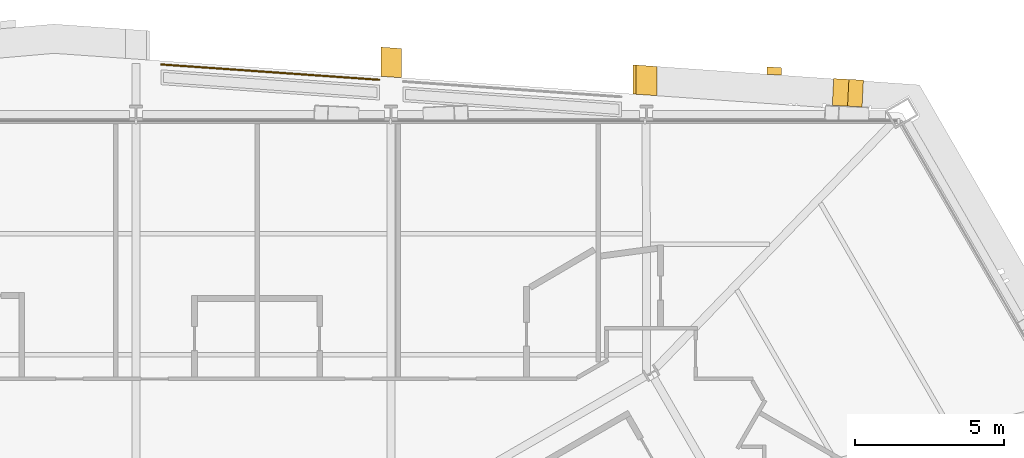
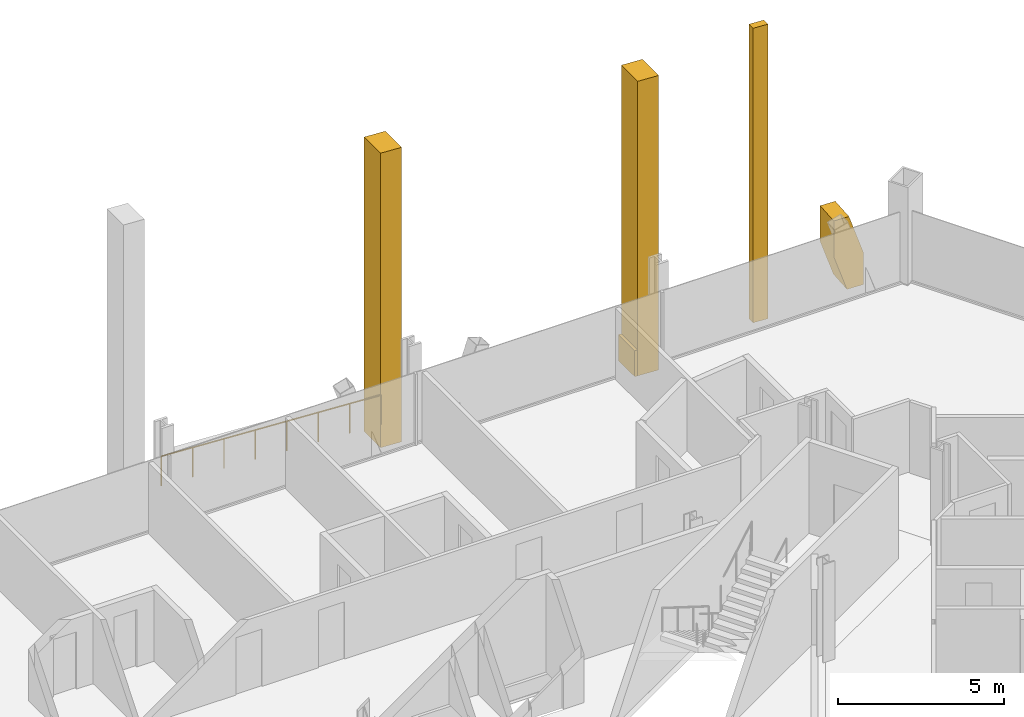
# One storey, part 21 of 21: 5 coverings, 1 railing.
"""IFC4 building model written with IfcOpenShell, lengths in metres."""

from ifc_helpers import new_model, si_unit, direction, frame, origin, origin_2d, place, context, subcontext, project, spatial, polyline, circle, outline, extrude, material, layer, layer_set, type_object, element, save


model = new_model("IFC4")

# Units and contexts
model_context = context("Model", 3, precision=1e-05, world=origin(), true_north=direction((0.0, 1.0)))
body_context = subcontext(model_context, "Body", "Model", "MODEL_VIEW")
ifc_project = project(units=[si_unit("LENGTHUNIT", "METRE"), si_unit("AREAUNIT", "SQUARE_METRE"), si_unit("VOLUMEUNIT", "CUBIC_METRE"), si_unit("PLANEANGLEUNIT", "RADIAN"), si_unit("MASSUNIT", "GRAM", prefix="KILO")], contexts=[model_context])

# Site, building, storey
site_placement = place(None, origin())
site = spatial("IfcSite", under=ifc_project, at=site_placement, CompositionType="ELEMENT")
building_placement = place(site_placement, origin())
building = spatial("IfcBuilding", under=site, at=building_placement, Name="Verrane Prism Tower", CompositionType="ELEMENT")
storey_placement = place(building_placement, frame((0.0, 0.0, 65.60009765625)))
storey = spatial("IfcBuildingStorey", under=building, at=storey_placement, Name="L14", CompositionType="ELEMENT", Elevation=65.60009765625)

# Coverings
ifc_material_1 = material(Name="Warm limestone cladding", Category="masonry")
ifc_layer_1 = layer(ifc_material_1, 0.89990234375)
ifc_layer_set_1 = layer_set([ifc_layer_1], Name="Stone brace fin 900")
covering_type_1 = type_object("IfcCoveringType", Name="Stone brace fin 900", PredefinedType="CLADDING", material=ifc_layer_set_1)
covering_1_placement = place(storey_placement, frame((24.405517578125, 22.022216796875, 0.0), z_axis=(0.0, 0.0, 1.0), x_axis=(-0.998713120681, 0.05071590066, 0.0)))
element("IfcCovering", 1, at=covering_1_placement, inside=storey, type_object=covering_type_1, Name="Stone brace fin N1 L14", PredefinedType="CLADDING", context=body_context, shape_type="SweptSolid", body=[
    extrude(outline(polyline([(1.001220703125, 2.64990234375), (0.488525390625, 2.64990234375), (0.0, 1.18212890625), (0.0, 0.0), (0.554931640625, 0.0), (1.001220703125, 1.340576171875), (1.001220703125, 2.64990234375)])), frame((0.0, 0.449951171875, 0.0), z_axis=(0.0, -1.0, 0.0), x_axis=(1.0, 0.0, 0.0)), (0.0, 0.0, 1.0), 0.89990234375),
])
ifc_material_2 = material(Name="Warm limestone cladding", Category="masonry")
covering_type_2 = type_object("IfcCoveringType", Name="Stone mullion pier 500", PredefinedType="CLADDING", material=ifc_material_2)
covering_2_placement = place(storey_placement, frame((0.0, 0.0, -0.9501953125)))
element("IfcCovering", 2, at=covering_2_placement, inside=storey, type_object=covering_type_2, Name="Stone pier SM-N0.1 L14-L16", PredefinedType="CLADDING", context=body_context, shape_type="SweptSolid", body=[
    extrude(outline(polyline([(21.184814453125, 22.669189453125), (21.684814453125, 22.63427734375), (21.684814453125, 22.884765625), (21.184814453125, 22.919921875), (21.184814453125, 22.669189453125)])), origin(), (0.0, 0.0, 1.0), 10.800048828125),
])
ifc_material_3 = material(Name="Warm limestone cladding", Category="masonry")
covering_type_3 = type_object("IfcCoveringType", Name="Stone pier 700", PredefinedType="CLADDING", material=ifc_material_3)
covering_3_placement = place(storey_placement, frame((0.0, 0.0, -0.9501953125)))
element("IfcCovering", 3, at=covering_3_placement, inside=storey, type_object=covering_type_3, Name="Stone pier PC-N1 L14-L16", PredefinedType="CLADDING", context=body_context, shape_type="SweptSolid", body=[
    extrude(outline(polyline([(16.7978515625, 22.9775390625), (16.7978515625, 21.9970703125), (17.497802734375, 21.94775390625), (17.497802734375, 22.92822265625), (16.7978515625, 22.9775390625)])), origin(), (0.0, 0.0, 1.0), 10.800048828125),
])
covering_4_placement = place(storey_placement, frame((0.0, 0.0, -0.9501953125)))
element("IfcCovering", 4, at=covering_4_placement, inside=storey, type_object=covering_type_3, Name="Stone pier PC-N2 L14-L16", PredefinedType="CLADDING", context=body_context, shape_type="SweptSolid", body=[
    extrude(outline(polyline([(8.22412109375, 23.579833984375), (8.22412109375, 22.599365234375), (8.924072265625, 22.55029296875), (8.924072265625, 23.53076171875), (8.22412109375, 23.579833984375)])), origin(), (0.0, 0.0, 1.0), 10.800048828125),
])
ifc_material_4 = material(Name="Warm limestone cladding", Category="masonry")
ifc_layer_2 = layer(ifc_material_4, 0.449951171875)
ifc_layer_set_2 = layer_set([ifc_layer_2], Name="Stone spandrel band 450")
covering_type_4 = type_object("IfcCoveringType", Name="Stone spandrel band 450", PredefinedType="CLADDING", material=ifc_layer_set_2)
covering_5_placement = place(storey_placement, frame((0.0, 0.0, -0.9501953125)))
element("IfcCovering", 5, at=covering_5_placement, inside=storey, type_object=covering_type_4, Name="Stone spandrel band L14 part 14", PredefinedType="CLADDING", context=body_context, shape_type="SweptSolid", body=[
    extrude(outline(polyline([(16.7978515625, 22.9775390625), (16.697998046875, 22.984619140625), (16.697998046875, 22.00390625), (16.7978515625, 21.9970703125), (16.7978515625, 22.9775390625)])), origin(), (0.0, 0.0, 1.0), 0.9501953125),
])

# Railing
ifc_material_5 = material(Name="Stainless steel and laminated glass", Category="steel")
railing_type = type_object("IfcRailingType", Name="Terrace guard 1100", PredefinedType="GUARDRAIL", material=ifc_material_5)
railing_placement = place(storey_placement, frame((8.174072265625, 22.48291015625, 0.0)))
element("IfcRailing", 6, at=railing_placement, inside=storey, type_object=railing_type, Name="Loggia guard N3 L14", PredefinedType="GUARDRAIL", context=body_context, shape_type="SweptSolid", body=[
    extrude(circle(Radius=0.02392578125, at=origin_2d()), frame((0.0, 0.0, 1.076171875), z_axis=(-0.997540238685, 0.070096163977, 0.0), x_axis=(-0.070096163977, -0.997540238685, 0.0)), (0.0, 0.0, 1.0), 7.342041015625),
    extrude(circle(Radius=0.02099609375, at=origin_2d()), origin(), (0.0, 0.0, 1.0), 1.052001953125),
    extrude(circle(Radius=0.02099609375, at=origin_2d()), frame((-1.04638671875, 0.073486328125, 0.0)), (0.0, 0.0, 1.0), 1.052001953125),
    extrude(circle(Radius=0.02099609375, at=origin_2d()), frame((-2.092529296875, 0.14697265625, 0.0)), (0.0, 0.0, 1.0), 1.052001953125),
    extrude(circle(Radius=0.02099609375, at=origin_2d()), frame((-3.138916015625, 0.220458984375, 0.0)), (0.0, 0.0, 1.0), 1.052001953125),
    extrude(circle(Radius=0.02099609375, at=origin_2d()), frame((-4.18505859375, 0.294189453125, 0.0)), (0.0, 0.0, 1.0), 1.052001953125),
    extrude(circle(Radius=0.02099609375, at=origin_2d()), frame((-5.2314453125, 0.36767578125, 0.0)), (0.0, 0.0, 1.0), 1.052001953125),
    extrude(circle(Radius=0.02099609375, at=origin_2d()), frame((-6.277587890625, 0.441162109375, 0.0)), (0.0, 0.0, 1.0), 1.052001953125),
    extrude(circle(Radius=0.02099609375, at=origin_2d()), frame((-7.323974609375, 0.5146484375, 0.0)), (0.0, 0.0, 1.0), 1.052001953125),
])

save(model, "model.ifc")
